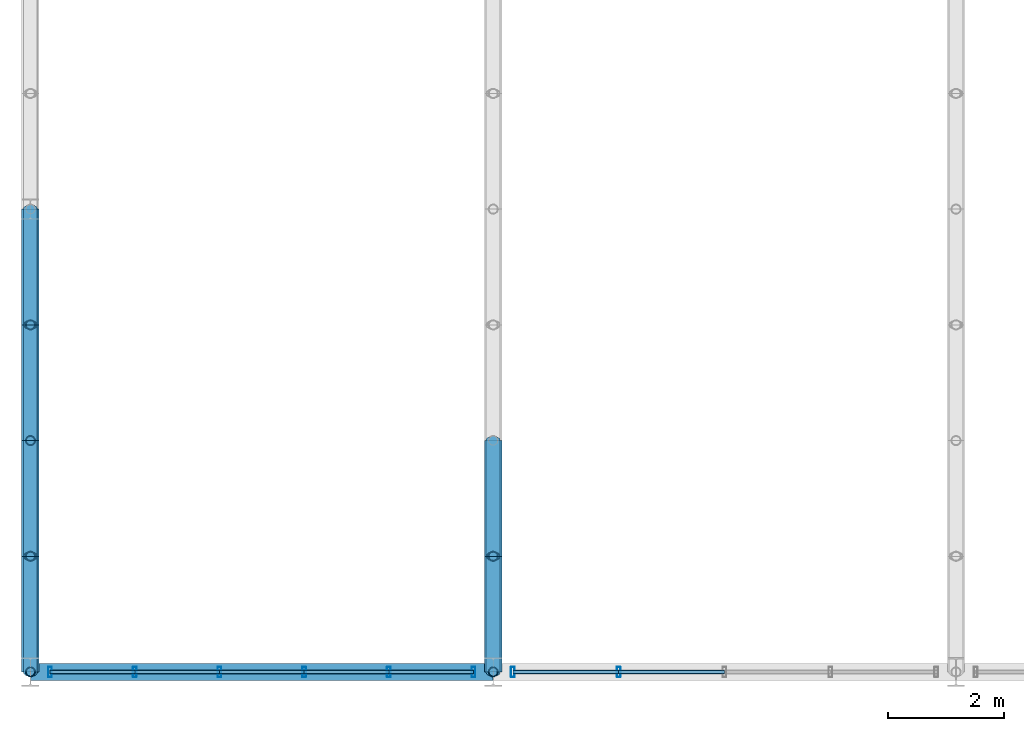
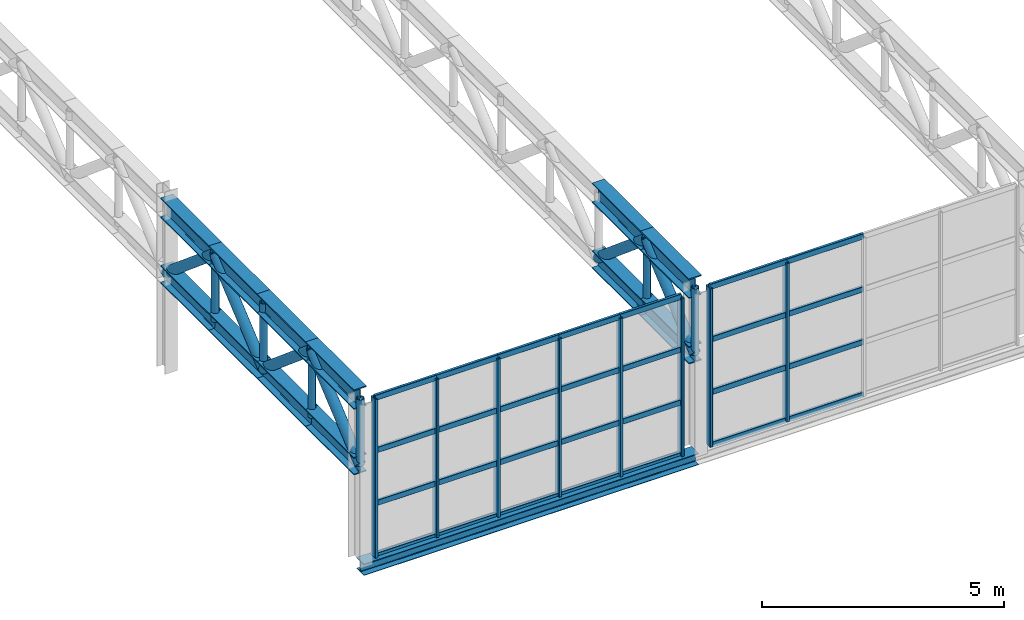
# One storey, part 10 of 67: 60 members, 1 beam, 2 elements without a shape of their own.
"""IFC4 building model written with IfcOpenShell, lengths in metres."""

from ifc_helpers import new_model, si_unit, derived_unit, direction, frame, origin, origin_2d, place, context, subcontext, project, spatial, hollow_rectangle, hollow_circle, i_section, extrude, material, material_profile, profile_set, type_object, element, aggregate, save


model = new_model("IFC4")

# Units and contexts
model_context = context("Model", 3, precision=1e-05, world=origin(), true_north=direction((0.0, 1.0)))
body_context = subcontext(model_context, "Body", "Model", "MODEL_VIEW")
ifc_project = project(units=[si_unit("LENGTHUNIT", "METRE"), si_unit("AREAUNIT", "SQUARE_METRE"), si_unit("VOLUMEUNIT", "CUBIC_METRE"), si_unit("PLANEANGLEUNIT", "RADIAN"), si_unit("MASSUNIT", "GRAM", prefix="KILO"), derived_unit("THERMALTRANSMITTANCEUNIT", [(si_unit("POWERUNIT", "WATT"), 1), (si_unit("LENGTHUNIT", "METRE"), -2), (si_unit("THERMODYNAMICTEMPERATUREUNIT", "KELVIN"), -1)])], contexts=[model_context])

# Site, building, storey
site_placement = place(None, origin())
site = spatial("IfcSite", under=ifc_project, at=site_placement, CompositionType="ELEMENT")
building_placement = place(site_placement, origin())
building = spatial("IfcBuilding", under=site, at=building_placement, Name="Keldorne Ridge Multi-Sports Centre", CompositionType="ELEMENT")
storey_placement = place(building_placement, frame((0.0, 0.0, 14.0)))
storey = spatial("IfcBuildingStorey", under=building, at=storey_placement, Name="L03", CompositionType="ELEMENT", Elevation=14.0)

# Beam
ifc_material_1 = material(Name="Steel S355", Category="steel")
ifc_material_profile_1 = material_profile(ifc_material_1, i_section(OverallWidth=0.300048828125, OverallDepth=0.2900390625, WebThickness=0.008544921875, FlangeThickness=0.013916015625, FilletRadius=0.027099609375, at=origin_2d()), Name="HEA 300")
ifc_profile_set_1 = profile_set([ifc_material_profile_1], Name="Steel S355")
beam_type = type_object("IfcBeamType", Name="BM-SP-04", PredefinedType="SPANDREL", material=ifc_profile_set_1)
beam_placement = place(storey_placement, frame((104.0, 6.0, -0.14990234375), z_axis=(1.0, 0.0, 0.0), x_axis=(0.0, 1.0, 0.0)))
element("IfcBeam", 1, at=beam_placement, inside=storey, type_object=beam_type, Name="Stacked Courts spandrel L03.6.1", PredefinedType="SPANDREL", context=body_context, shape_type="SweptSolid", body=[
    extrude(i_section(OverallWidth=0.300048828125, OverallDepth=0.2900390625, WebThickness=0.008544921875, FlangeThickness=0.013916015625, FilletRadius=0.027099609375, at=origin_2d()), origin(), (0.0, 0.0, 1.0), 8.0),
])

# Curtain wall, members
ifc_material_2 = material(Name="Anodized aluminium", Category="aluminium")
curtain_wall_type_1 = type_object("IfcCurtainWallType", Name="CW-CW-01", PredefinedType="NOTDEFINED", material=ifc_material_2)
curtain_wall_1_placement = place(storey_placement, origin())
curtain_wall_1 = element("IfcCurtainWall", 2, at=curtain_wall_1_placement, inside=storey, type_object=curtain_wall_type_1, Name="Upper Courts high clerestory 089", PredefinedType="NOTDEFINED")
ifc_material_profile_2 = material_profile(ifc_material_2, hollow_rectangle(XDim=0.06494140625, YDim=0.179931640625, WallThickness=0.00439453125, InnerFilletRadius=0.00439453125, OuterFilletRadius=0.009033203125, at=origin_2d()), Name="ALU MULLION 180x65x4.5")
ifc_profile_set_2 = profile_set([ifc_material_profile_2], Name="Anodized aluminium")
member_type_1 = type_object("IfcMemberType", Name="MEM-ML-01", PredefinedType="MULLION", material=ifc_profile_set_2)
member_1_placement = place(storey_placement, frame((104.340087890625, 6.0, 0.0), z_axis=(0.0, 0.0, 1.0), x_axis=(1.0, 0.0, 0.0)))
member_1 = element("IfcMember", 3, at=member_1_placement, type_object=member_type_1, Name="CW-089 vertical mullion 1", PredefinedType="MULLION", context=body_context, shape_type="SweptSolid", body=[
    extrude(hollow_rectangle(XDim=0.06494140625, YDim=0.179931640625, WallThickness=0.00439453125, InnerFilletRadius=0.00439453125, OuterFilletRadius=0.009033203125, at=origin_2d()), origin(), (0.0, 0.0, 1.0), 4.0),
])
member_2_placement = place(storey_placement, frame((105.803955078125, 6.0, 0.0), z_axis=(0.0, 0.0, 1.0), x_axis=(1.0, 0.0, 0.0)))
member_2 = element("IfcMember", 4, at=member_2_placement, type_object=member_type_1, Name="CW-089 vertical mullion 2", PredefinedType="MULLION", context=body_context, shape_type="SweptSolid", body=[
    extrude(hollow_rectangle(XDim=0.06494140625, YDim=0.179931640625, WallThickness=0.00439453125, InnerFilletRadius=0.00439453125, OuterFilletRadius=0.009033203125, at=origin_2d()), origin(), (0.0, 0.0, 1.0), 4.0),
])
member_3_placement = place(storey_placement, frame((107.26806640625, 6.0, 0.0), z_axis=(0.0, 0.0, 1.0), x_axis=(1.0, 0.0, 0.0)))
member_3 = element("IfcMember", 5, at=member_3_placement, type_object=member_type_1, Name="CW-089 vertical mullion 3", PredefinedType="MULLION", context=body_context, shape_type="SweptSolid", body=[
    extrude(hollow_rectangle(XDim=0.06494140625, YDim=0.179931640625, WallThickness=0.00439453125, InnerFilletRadius=0.00439453125, OuterFilletRadius=0.009033203125, at=origin_2d()), origin(), (0.0, 0.0, 1.0), 4.0),
])
member_4_placement = place(storey_placement, frame((108.73193359375, 6.0, 0.0), z_axis=(0.0, 0.0, 1.0), x_axis=(1.0, 0.0, 0.0)))
member_4 = element("IfcMember", 6, at=member_4_placement, type_object=member_type_1, Name="CW-089 vertical mullion 4", PredefinedType="MULLION", context=body_context, shape_type="SweptSolid", body=[
    extrude(hollow_rectangle(XDim=0.06494140625, YDim=0.179931640625, WallThickness=0.00439453125, InnerFilletRadius=0.00439453125, OuterFilletRadius=0.009033203125, at=origin_2d()), origin(), (0.0, 0.0, 1.0), 4.0),
])
member_5_placement = place(storey_placement, frame((110.196044921875, 6.0, 0.0), z_axis=(0.0, 0.0, 1.0), x_axis=(1.0, 0.0, 0.0)))
member_5 = element("IfcMember", 7, at=member_5_placement, type_object=member_type_1, Name="CW-089 vertical mullion 5", PredefinedType="MULLION", context=body_context, shape_type="SweptSolid", body=[
    extrude(hollow_rectangle(XDim=0.06494140625, YDim=0.179931640625, WallThickness=0.00439453125, InnerFilletRadius=0.00439453125, OuterFilletRadius=0.009033203125, at=origin_2d()), origin(), (0.0, 0.0, 1.0), 4.0),
])
member_6_placement = place(storey_placement, frame((111.659912109375, 6.0, 0.0), z_axis=(0.0, 0.0, 1.0), x_axis=(1.0, 0.0, 0.0)))
member_6 = element("IfcMember", 8, at=member_6_placement, type_object=member_type_1, Name="CW-089 vertical mullion 6", PredefinedType="MULLION", context=body_context, shape_type="SweptSolid", body=[
    extrude(hollow_rectangle(XDim=0.06494140625, YDim=0.179931640625, WallThickness=0.00439453125, InnerFilletRadius=0.00439453125, OuterFilletRadius=0.009033203125, at=origin_2d()), origin(), (0.0, 0.0, 1.0), 4.0),
])

curtain_wall_type_2 = type_object("IfcCurtainWallType", Name="CW-CW-08", PredefinedType="NOTDEFINED", material=ifc_material_2)
curtain_wall_2_placement = place(storey_placement, origin())
curtain_wall_2 = element("IfcCurtainWall", 9, at=curtain_wall_2_placement, inside=storey, type_object=curtain_wall_type_2, Name="Upper Courts high clerestory 096", PredefinedType="NOTDEFINED")
member_7_placement = place(storey_placement, frame((112.340087890625, 6.0, 0.0), z_axis=(0.0, 0.0, 1.0), x_axis=(1.0, 0.0, 0.0)))
member_7 = element("IfcMember", 10, at=member_7_placement, type_object=member_type_1, Name="CW-096 vertical mullion 1", PredefinedType="MULLION", context=body_context, shape_type="SweptSolid", body=[
    extrude(hollow_rectangle(XDim=0.06494140625, YDim=0.179931640625, WallThickness=0.00439453125, InnerFilletRadius=0.00439453125, OuterFilletRadius=0.009033203125, at=origin_2d()), origin(), (0.0, 0.0, 1.0), 4.0),
])
member_8_placement = place(storey_placement, frame((114.169921875, 6.0, 0.0), z_axis=(0.0, 0.0, 1.0), x_axis=(1.0, 0.0, 0.0)))
member_8 = element("IfcMember", 11, at=member_8_placement, type_object=member_type_1, Name="CW-096 vertical mullion 2", PredefinedType="MULLION", context=body_context, shape_type="SweptSolid", body=[
    extrude(hollow_rectangle(XDim=0.06494140625, YDim=0.179931640625, WallThickness=0.00439453125, InnerFilletRadius=0.00439453125, OuterFilletRadius=0.009033203125, at=origin_2d()), origin(), (0.0, 0.0, 1.0), 4.0),
])

# Members
ifc_material_profile_3 = material_profile(ifc_material_1, i_section(OverallWidth=0.300048828125, OverallDepth=0.5, WebThickness=0.014404296875, FlangeThickness=0.028076171875, FilletRadius=0.027099609375, at=origin_2d()), Name="HEB 500")
ifc_profile_set_3 = profile_set([ifc_material_profile_3], Name="Steel S355")
member_type_2 = type_object("IfcMemberType", Name="MEM-TC-03", PredefinedType="CHORD", material=ifc_profile_set_3)
for number, where, z_axis, x_axis, name in (
    (12, (104.0, 6.0, 4.110107421875), (0.0, 1.0, 0.0), (-1.0, 0.0, 0.0), "Stacked Courts Warren TRUSS WT-L04-01 top chord 1"),
    (13, (104.0, 8.0, 4.110107421875), (0.0, 1.0, 0.0), (-1.0, 0.0, 0.0), "Stacked Courts Warren TRUSS WT-L04-01 top chord 2"),
    (14, (104.0, 10.0, 4.110107421875), (0.0, 1.0, 0.0), (-1.0, 0.0, 0.0), "Stacked Courts Warren TRUSS WT-L04-01 top chord 3"),
    (15, (104.0, 12.0, 4.110107421875), (0.0, 1.0, 0.0), (-1.0, 0.0, 0.0), "Stacked Courts Warren TRUSS WT-L04-01 top chord 4"),
    (16, (112.0, 6.0, 4.110107421875), (0.0, 1.0, 0.0), (-1.0, 0.0, 0.0), "Stacked Courts Warren TRUSS WT-L04-02 top chord 1"),
    (17, (112.0, 8.0, 4.110107421875), (0.0, 1.0, 0.0), (-1.0, 0.0, 0.0), "Stacked Courts Warren TRUSS WT-L04-02 top chord 2"),
):
    element("IfcMember", number, at=place(storey_placement, frame(where, z_axis=z_axis, x_axis=x_axis)), inside=storey, type_object=member_type_2, Name=name, PredefinedType="CHORD", context=body_context, shape_type="SweptSolid", body=[
        extrude(i_section(OverallWidth=0.300048828125, OverallDepth=0.5, WebThickness=0.014404296875, FlangeThickness=0.028076171875, FilletRadius=0.027099609375, at=origin_2d()), origin(), (0.0, 0.0, 1.0), 2.0),
    ])
ifc_material_profile_4 = material_profile(ifc_material_1, i_section(OverallWidth=0.300048828125, OverallDepth=0.449951171875, WebThickness=0.013916015625, FlangeThickness=0.02587890625, FilletRadius=0.027099609375, at=origin_2d()), Name="HEB 450")
ifc_profile_set_4 = profile_set([ifc_material_profile_4], Name="Steel S355")
member_type_3 = type_object("IfcMemberType", Name="MEM-TC-04", PredefinedType="CHORD", material=ifc_profile_set_4)
for number, where, z_axis, x_axis, name in (
    (18, (104.0, 6.0, 2.429931640625), (0.0, 1.0, 0.0), (-1.0, 0.0, 0.0), "Stacked Courts Warren TRUSS WT-L04-01 bottom chord 1"),
    (19, (104.0, 8.0, 2.429931640625), (0.0, 1.0, 0.0), (-1.0, 0.0, 0.0), "Stacked Courts Warren TRUSS WT-L04-01 bottom chord 2"),
    (20, (104.0, 10.0, 2.429931640625), (0.0, 1.0, 0.0), (-1.0, 0.0, 0.0), "Stacked Courts Warren TRUSS WT-L04-01 bottom chord 3"),
    (21, (104.0, 12.0, 2.429931640625), (0.0, 1.0, 0.0), (-1.0, 0.0, 0.0), "Stacked Courts Warren TRUSS WT-L04-01 bottom chord 4"),
    (22, (112.0, 6.0, 2.429931640625), (0.0, 1.0, 0.0), (-1.0, 0.0, 0.0), "Stacked Courts Warren TRUSS WT-L04-02 bottom chord 1"),
    (23, (112.0, 8.0, 2.429931640625), (0.0, 1.0, 0.0), (-1.0, 0.0, 0.0), "Stacked Courts Warren TRUSS WT-L04-02 bottom chord 2"),
):
    element("IfcMember", number, at=place(storey_placement, frame(where, z_axis=z_axis, x_axis=x_axis)), inside=storey, type_object=member_type_3, Name=name, PredefinedType="CHORD", context=body_context, shape_type="SweptSolid", body=[
        extrude(i_section(OverallWidth=0.300048828125, OverallDepth=0.449951171875, WebThickness=0.013916015625, FlangeThickness=0.02587890625, FilletRadius=0.027099609375, at=origin_2d()), origin(), (0.0, 0.0, 1.0), 2.0),
    ])
ifc_material_profile_5 = material_profile(ifc_material_1, hollow_circle(Radius=0.122314453125, WallThickness=0.012451171875, at=origin_2d()), Name="CHS 244.5x12.5")
ifc_profile_set_5 = profile_set([ifc_material_profile_5], Name="Steel S355")
member_type_4 = type_object("IfcMemberType", Name="MEM-TD-02", PredefinedType="BRACE", material=ifc_profile_set_5)
for number, where, z_axis, x_axis, name in (
    (24, (104.0, 6.0, 2.429931640625), (0.0, 0.765671721121, 0.643231541108), (-1.0, 0.0, 0.0), "Stacked Courts Warren TRUSS WT-L04-01 diagonal 1"),
    (25, (104.0, 8.0, 4.110107421875), (0.0, 0.765671721121, -0.643231541108), (-1.0, 0.0, 0.0), "Stacked Courts Warren TRUSS WT-L04-01 diagonal 2"),
    (26, (104.0, 10.0, 2.429931640625), (0.0, 0.765671721121, 0.643231541108), (-1.0, 0.0, 0.0), "Stacked Courts Warren TRUSS WT-L04-01 diagonal 3"),
    (27, (104.0, 12.0, 4.110107421875), (0.0, 0.765671721121, -0.643231541108), (-1.0, 0.0, 0.0), "Stacked Courts Warren TRUSS WT-L04-01 diagonal 4"),
    (28, (112.0, 6.0, 2.429931640625), (0.0, 0.765671721121, 0.643231541108), (-1.0, 0.0, 0.0), "Stacked Courts Warren TRUSS WT-L04-02 diagonal 1"),
    (29, (112.0, 8.0, 4.110107421875), (0.0, 0.765671721121, -0.643231541108), (-1.0, 0.0, 0.0), "Stacked Courts Warren TRUSS WT-L04-02 diagonal 2"),
):
    element("IfcMember", number, at=place(storey_placement, frame(where, z_axis=z_axis, x_axis=x_axis)), inside=storey, type_object=member_type_4, Name=name, PredefinedType="BRACE", context=body_context, shape_type="SweptSolid", body=[
        extrude(hollow_circle(Radius=0.122314453125, WallThickness=0.012451171875, at=origin_2d()), origin(), (0.0, 0.0, 1.0), 2.612060546875),
    ])

# Member
ifc_material_profile_6 = material_profile(ifc_material_2, hollow_rectangle(XDim=0.06494140625, YDim=0.139892578125, WallThickness=0.00439453125, InnerFilletRadius=0.00439453125, OuterFilletRadius=0.009033203125, at=origin_2d()), Name="ALU TRANSOM 140x65x4.5")
ifc_profile_set_6 = profile_set([ifc_material_profile_6], Name="Anodized aluminium")
member_type_5 = type_object("IfcMemberType", Name="MEM-TR-01", PredefinedType="USERDEFINED", material=ifc_profile_set_6)
member_9_placement = place(storey_placement, frame((104.340087890625, 6.0, 0.0), z_axis=(1.0, 0.0, 0.0), x_axis=(0.0, 1.0, 0.0)))
member_9 = element("IfcMember", 30, at=member_9_placement, type_object=member_type_5, Name="CW-089 transom 1.1", ObjectType="TRANSOM", PredefinedType="USERDEFINED", context=body_context, shape_type="SweptSolid", body=[
    extrude(hollow_rectangle(XDim=0.06494140625, YDim=0.139892578125, WallThickness=0.00439453125, InnerFilletRadius=0.00439453125, OuterFilletRadius=0.009033203125, at=origin_2d()), origin(), (0.0, 0.0, 1.0), 1.4638671875),
])

member_10_placement = place(storey_placement, frame((104.340087890625, 6.0, 1.333251953125), z_axis=(1.0, 0.0, 0.0), x_axis=(0.0, 1.0, 0.0)))
member_10 = element("IfcMember", 31, at=member_10_placement, type_object=member_type_5, Name="CW-089 transom 1.2", ObjectType="TRANSOM", PredefinedType="USERDEFINED", context=body_context, shape_type="SweptSolid", body=[
    extrude(hollow_rectangle(XDim=0.06494140625, YDim=0.139892578125, WallThickness=0.00439453125, InnerFilletRadius=0.00439453125, OuterFilletRadius=0.009033203125, at=origin_2d()), origin(), (0.0, 0.0, 1.0), 1.4638671875),
])

member_11_placement = place(storey_placement, frame((104.340087890625, 6.0, 2.666748046875), z_axis=(1.0, 0.0, 0.0), x_axis=(0.0, 1.0, 0.0)))
member_11 = element("IfcMember", 32, at=member_11_placement, type_object=member_type_5, Name="CW-089 transom 1.3", ObjectType="TRANSOM", PredefinedType="USERDEFINED", context=body_context, shape_type="SweptSolid", body=[
    extrude(hollow_rectangle(XDim=0.06494140625, YDim=0.139892578125, WallThickness=0.00439453125, InnerFilletRadius=0.00439453125, OuterFilletRadius=0.009033203125, at=origin_2d()), origin(), (0.0, 0.0, 1.0), 1.4638671875),
])

member_12_placement = place(storey_placement, frame((104.340087890625, 6.0, 4.0), z_axis=(1.0, 0.0, 0.0), x_axis=(0.0, 1.0, 0.0)))
member_12 = element("IfcMember", 33, at=member_12_placement, type_object=member_type_5, Name="CW-089 transom 1.4", ObjectType="TRANSOM", PredefinedType="USERDEFINED", context=body_context, shape_type="SweptSolid", body=[
    extrude(hollow_rectangle(XDim=0.06494140625, YDim=0.139892578125, WallThickness=0.00439453125, InnerFilletRadius=0.00439453125, OuterFilletRadius=0.009033203125, at=origin_2d()), origin(), (0.0, 0.0, 1.0), 1.4638671875),
])

member_13_placement = place(storey_placement, frame((105.803955078125, 6.0, 0.0), z_axis=(1.0, 0.0, 0.0), x_axis=(0.0, 1.0, 0.0)))
member_13 = element("IfcMember", 34, at=member_13_placement, type_object=member_type_5, Name="CW-089 transom 2.1", ObjectType="TRANSOM", PredefinedType="USERDEFINED", context=body_context, shape_type="SweptSolid", body=[
    extrude(hollow_rectangle(XDim=0.06494140625, YDim=0.139892578125, WallThickness=0.00439453125, InnerFilletRadius=0.00439453125, OuterFilletRadius=0.009033203125, at=origin_2d()), origin(), (0.0, 0.0, 1.0), 1.464111328125),
])

member_14_placement = place(storey_placement, frame((105.803955078125, 6.0, 1.333251953125), z_axis=(1.0, 0.0, 0.0), x_axis=(0.0, 1.0, 0.0)))
member_14 = element("IfcMember", 35, at=member_14_placement, type_object=member_type_5, Name="CW-089 transom 2.2", ObjectType="TRANSOM", PredefinedType="USERDEFINED", context=body_context, shape_type="SweptSolid", body=[
    extrude(hollow_rectangle(XDim=0.06494140625, YDim=0.139892578125, WallThickness=0.00439453125, InnerFilletRadius=0.00439453125, OuterFilletRadius=0.009033203125, at=origin_2d()), origin(), (0.0, 0.0, 1.0), 1.464111328125),
])

member_15_placement = place(storey_placement, frame((105.803955078125, 6.0, 2.666748046875), z_axis=(1.0, 0.0, 0.0), x_axis=(0.0, 1.0, 0.0)))
member_15 = element("IfcMember", 36, at=member_15_placement, type_object=member_type_5, Name="CW-089 transom 2.3", ObjectType="TRANSOM", PredefinedType="USERDEFINED", context=body_context, shape_type="SweptSolid", body=[
    extrude(hollow_rectangle(XDim=0.06494140625, YDim=0.139892578125, WallThickness=0.00439453125, InnerFilletRadius=0.00439453125, OuterFilletRadius=0.009033203125, at=origin_2d()), origin(), (0.0, 0.0, 1.0), 1.464111328125),
])

member_16_placement = place(storey_placement, frame((105.803955078125, 6.0, 4.0), z_axis=(1.0, 0.0, 0.0), x_axis=(0.0, 1.0, 0.0)))
member_16 = element("IfcMember", 37, at=member_16_placement, type_object=member_type_5, Name="CW-089 transom 2.4", ObjectType="TRANSOM", PredefinedType="USERDEFINED", context=body_context, shape_type="SweptSolid", body=[
    extrude(hollow_rectangle(XDim=0.06494140625, YDim=0.139892578125, WallThickness=0.00439453125, InnerFilletRadius=0.00439453125, OuterFilletRadius=0.009033203125, at=origin_2d()), origin(), (0.0, 0.0, 1.0), 1.464111328125),
])

member_17_placement = place(storey_placement, frame((107.26806640625, 6.0, 0.0), z_axis=(1.0, 0.0, 0.0), x_axis=(0.0, 1.0, 0.0)))
member_17 = element("IfcMember", 38, at=member_17_placement, type_object=member_type_5, Name="CW-089 transom 3.1", ObjectType="TRANSOM", PredefinedType="USERDEFINED", context=body_context, shape_type="SweptSolid", body=[
    extrude(hollow_rectangle(XDim=0.06494140625, YDim=0.139892578125, WallThickness=0.00439453125, InnerFilletRadius=0.00439453125, OuterFilletRadius=0.009033203125, at=origin_2d()), origin(), (0.0, 0.0, 1.0), 1.4638671875),
])

member_18_placement = place(storey_placement, frame((107.26806640625, 6.0, 1.333251953125), z_axis=(1.0, 0.0, 0.0), x_axis=(0.0, 1.0, 0.0)))
member_18 = element("IfcMember", 39, at=member_18_placement, type_object=member_type_5, Name="CW-089 transom 3.2", ObjectType="TRANSOM", PredefinedType="USERDEFINED", context=body_context, shape_type="SweptSolid", body=[
    extrude(hollow_rectangle(XDim=0.06494140625, YDim=0.139892578125, WallThickness=0.00439453125, InnerFilletRadius=0.00439453125, OuterFilletRadius=0.009033203125, at=origin_2d()), origin(), (0.0, 0.0, 1.0), 1.4638671875),
])

member_19_placement = place(storey_placement, frame((107.26806640625, 6.0, 2.666748046875), z_axis=(1.0, 0.0, 0.0), x_axis=(0.0, 1.0, 0.0)))
member_19 = element("IfcMember", 40, at=member_19_placement, type_object=member_type_5, Name="CW-089 transom 3.3", ObjectType="TRANSOM", PredefinedType="USERDEFINED", context=body_context, shape_type="SweptSolid", body=[
    extrude(hollow_rectangle(XDim=0.06494140625, YDim=0.139892578125, WallThickness=0.00439453125, InnerFilletRadius=0.00439453125, OuterFilletRadius=0.009033203125, at=origin_2d()), origin(), (0.0, 0.0, 1.0), 1.4638671875),
])

member_20_placement = place(storey_placement, frame((107.26806640625, 6.0, 4.0), z_axis=(1.0, 0.0, 0.0), x_axis=(0.0, 1.0, 0.0)))
member_20 = element("IfcMember", 41, at=member_20_placement, type_object=member_type_5, Name="CW-089 transom 3.4", ObjectType="TRANSOM", PredefinedType="USERDEFINED", context=body_context, shape_type="SweptSolid", body=[
    extrude(hollow_rectangle(XDim=0.06494140625, YDim=0.139892578125, WallThickness=0.00439453125, InnerFilletRadius=0.00439453125, OuterFilletRadius=0.009033203125, at=origin_2d()), origin(), (0.0, 0.0, 1.0), 1.4638671875),
])

member_21_placement = place(storey_placement, frame((108.73193359375, 6.0, 0.0), z_axis=(1.0, 0.0, 0.0), x_axis=(0.0, 1.0, 0.0)))
member_21 = element("IfcMember", 42, at=member_21_placement, type_object=member_type_5, Name="CW-089 transom 4.1", ObjectType="TRANSOM", PredefinedType="USERDEFINED", context=body_context, shape_type="SweptSolid", body=[
    extrude(hollow_rectangle(XDim=0.06494140625, YDim=0.139892578125, WallThickness=0.00439453125, InnerFilletRadius=0.00439453125, OuterFilletRadius=0.009033203125, at=origin_2d()), origin(), (0.0, 0.0, 1.0), 1.464111328125),
])

member_22_placement = place(storey_placement, frame((108.73193359375, 6.0, 1.333251953125), z_axis=(1.0, 0.0, 0.0), x_axis=(0.0, 1.0, 0.0)))
member_22 = element("IfcMember", 43, at=member_22_placement, type_object=member_type_5, Name="CW-089 transom 4.2", ObjectType="TRANSOM", PredefinedType="USERDEFINED", context=body_context, shape_type="SweptSolid", body=[
    extrude(hollow_rectangle(XDim=0.06494140625, YDim=0.139892578125, WallThickness=0.00439453125, InnerFilletRadius=0.00439453125, OuterFilletRadius=0.009033203125, at=origin_2d()), origin(), (0.0, 0.0, 1.0), 1.464111328125),
])

member_23_placement = place(storey_placement, frame((108.73193359375, 6.0, 2.666748046875), z_axis=(1.0, 0.0, 0.0), x_axis=(0.0, 1.0, 0.0)))
member_23 = element("IfcMember", 44, at=member_23_placement, type_object=member_type_5, Name="CW-089 transom 4.3", ObjectType="TRANSOM", PredefinedType="USERDEFINED", context=body_context, shape_type="SweptSolid", body=[
    extrude(hollow_rectangle(XDim=0.06494140625, YDim=0.139892578125, WallThickness=0.00439453125, InnerFilletRadius=0.00439453125, OuterFilletRadius=0.009033203125, at=origin_2d()), origin(), (0.0, 0.0, 1.0), 1.464111328125),
])

member_24_placement = place(storey_placement, frame((108.73193359375, 6.0, 4.0), z_axis=(1.0, 0.0, 0.0), x_axis=(0.0, 1.0, 0.0)))
member_24 = element("IfcMember", 45, at=member_24_placement, type_object=member_type_5, Name="CW-089 transom 4.4", ObjectType="TRANSOM", PredefinedType="USERDEFINED", context=body_context, shape_type="SweptSolid", body=[
    extrude(hollow_rectangle(XDim=0.06494140625, YDim=0.139892578125, WallThickness=0.00439453125, InnerFilletRadius=0.00439453125, OuterFilletRadius=0.009033203125, at=origin_2d()), origin(), (0.0, 0.0, 1.0), 1.464111328125),
])

member_25_placement = place(storey_placement, frame((110.196044921875, 6.0, 0.0), z_axis=(1.0, 0.0, 0.0), x_axis=(0.0, 1.0, 0.0)))
member_25 = element("IfcMember", 46, at=member_25_placement, type_object=member_type_5, Name="CW-089 transom 5.1", ObjectType="TRANSOM", PredefinedType="USERDEFINED", context=body_context, shape_type="SweptSolid", body=[
    extrude(hollow_rectangle(XDim=0.06494140625, YDim=0.139892578125, WallThickness=0.00439453125, InnerFilletRadius=0.00439453125, OuterFilletRadius=0.009033203125, at=origin_2d()), origin(), (0.0, 0.0, 1.0), 1.4638671875),
])

member_26_placement = place(storey_placement, frame((110.196044921875, 6.0, 1.333251953125), z_axis=(1.0, 0.0, 0.0), x_axis=(0.0, 1.0, 0.0)))
member_26 = element("IfcMember", 47, at=member_26_placement, type_object=member_type_5, Name="CW-089 transom 5.2", ObjectType="TRANSOM", PredefinedType="USERDEFINED", context=body_context, shape_type="SweptSolid", body=[
    extrude(hollow_rectangle(XDim=0.06494140625, YDim=0.139892578125, WallThickness=0.00439453125, InnerFilletRadius=0.00439453125, OuterFilletRadius=0.009033203125, at=origin_2d()), origin(), (0.0, 0.0, 1.0), 1.4638671875),
])

member_27_placement = place(storey_placement, frame((110.196044921875, 6.0, 2.666748046875), z_axis=(1.0, 0.0, 0.0), x_axis=(0.0, 1.0, 0.0)))
member_27 = element("IfcMember", 48, at=member_27_placement, type_object=member_type_5, Name="CW-089 transom 5.3", ObjectType="TRANSOM", PredefinedType="USERDEFINED", context=body_context, shape_type="SweptSolid", body=[
    extrude(hollow_rectangle(XDim=0.06494140625, YDim=0.139892578125, WallThickness=0.00439453125, InnerFilletRadius=0.00439453125, OuterFilletRadius=0.009033203125, at=origin_2d()), origin(), (0.0, 0.0, 1.0), 1.4638671875),
])

member_28_placement = place(storey_placement, frame((110.196044921875, 6.0, 4.0), z_axis=(1.0, 0.0, 0.0), x_axis=(0.0, 1.0, 0.0)))
member_28 = element("IfcMember", 49, at=member_28_placement, type_object=member_type_5, Name="CW-089 transom 5.4", ObjectType="TRANSOM", PredefinedType="USERDEFINED", context=body_context, shape_type="SweptSolid", body=[
    extrude(hollow_rectangle(XDim=0.06494140625, YDim=0.139892578125, WallThickness=0.00439453125, InnerFilletRadius=0.00439453125, OuterFilletRadius=0.009033203125, at=origin_2d()), origin(), (0.0, 0.0, 1.0), 1.4638671875),
])

aggregate(curtain_wall_1, [member_1, member_2, member_3, member_4, member_5, member_6, member_9, member_10, member_11, member_12, member_13, member_14, member_15, member_16, member_17, member_18, member_19, member_20, member_21, member_22, member_23, member_24, member_25, member_26, member_27, member_28])

member_29_placement = place(storey_placement, frame((112.340087890625, 6.0, 0.0), z_axis=(1.0, 0.0, 0.0), x_axis=(0.0, 1.0, 0.0)))
member_29 = element("IfcMember", 50, at=member_29_placement, type_object=member_type_5, Name="CW-096 transom 1.1", ObjectType="TRANSOM", PredefinedType="USERDEFINED", context=body_context, shape_type="SweptSolid", body=[
    extrude(hollow_rectangle(XDim=0.06494140625, YDim=0.139892578125, WallThickness=0.00439453125, InnerFilletRadius=0.00439453125, OuterFilletRadius=0.009033203125, at=origin_2d()), origin(), (0.0, 0.0, 1.0), 1.829833984375),
])

member_30_placement = place(storey_placement, frame((112.340087890625, 6.0, 1.333251953125), z_axis=(1.0, 0.0, 0.0), x_axis=(0.0, 1.0, 0.0)))
member_30 = element("IfcMember", 51, at=member_30_placement, type_object=member_type_5, Name="CW-096 transom 1.2", ObjectType="TRANSOM", PredefinedType="USERDEFINED", context=body_context, shape_type="SweptSolid", body=[
    extrude(hollow_rectangle(XDim=0.06494140625, YDim=0.139892578125, WallThickness=0.00439453125, InnerFilletRadius=0.00439453125, OuterFilletRadius=0.009033203125, at=origin_2d()), origin(), (0.0, 0.0, 1.0), 1.829833984375),
])

member_31_placement = place(storey_placement, frame((112.340087890625, 6.0, 2.666748046875), z_axis=(1.0, 0.0, 0.0), x_axis=(0.0, 1.0, 0.0)))
member_31 = element("IfcMember", 52, at=member_31_placement, type_object=member_type_5, Name="CW-096 transom 1.3", ObjectType="TRANSOM", PredefinedType="USERDEFINED", context=body_context, shape_type="SweptSolid", body=[
    extrude(hollow_rectangle(XDim=0.06494140625, YDim=0.139892578125, WallThickness=0.00439453125, InnerFilletRadius=0.00439453125, OuterFilletRadius=0.009033203125, at=origin_2d()), origin(), (0.0, 0.0, 1.0), 1.829833984375),
])

member_32_placement = place(storey_placement, frame((112.340087890625, 6.0, 4.0), z_axis=(1.0, 0.0, 0.0), x_axis=(0.0, 1.0, 0.0)))
member_32 = element("IfcMember", 53, at=member_32_placement, type_object=member_type_5, Name="CW-096 transom 1.4", ObjectType="TRANSOM", PredefinedType="USERDEFINED", context=body_context, shape_type="SweptSolid", body=[
    extrude(hollow_rectangle(XDim=0.06494140625, YDim=0.139892578125, WallThickness=0.00439453125, InnerFilletRadius=0.00439453125, OuterFilletRadius=0.009033203125, at=origin_2d()), origin(), (0.0, 0.0, 1.0), 1.829833984375),
])

member_33_placement = place(storey_placement, frame((114.169921875, 6.0, 0.0), z_axis=(1.0, 0.0, 0.0), x_axis=(0.0, 1.0, 0.0)))
member_33 = element("IfcMember", 54, at=member_33_placement, type_object=member_type_5, Name="CW-096 transom 2.1", ObjectType="TRANSOM", PredefinedType="USERDEFINED", context=body_context, shape_type="SweptSolid", body=[
    extrude(hollow_rectangle(XDim=0.06494140625, YDim=0.139892578125, WallThickness=0.00439453125, InnerFilletRadius=0.00439453125, OuterFilletRadius=0.009033203125, at=origin_2d()), origin(), (0.0, 0.0, 1.0), 1.830078125),
])

member_34_placement = place(storey_placement, frame((114.169921875, 6.0, 1.333251953125), z_axis=(1.0, 0.0, 0.0), x_axis=(0.0, 1.0, 0.0)))
member_34 = element("IfcMember", 55, at=member_34_placement, type_object=member_type_5, Name="CW-096 transom 2.2", ObjectType="TRANSOM", PredefinedType="USERDEFINED", context=body_context, shape_type="SweptSolid", body=[
    extrude(hollow_rectangle(XDim=0.06494140625, YDim=0.139892578125, WallThickness=0.00439453125, InnerFilletRadius=0.00439453125, OuterFilletRadius=0.009033203125, at=origin_2d()), origin(), (0.0, 0.0, 1.0), 1.830078125),
])

member_35_placement = place(storey_placement, frame((114.169921875, 6.0, 2.666748046875), z_axis=(1.0, 0.0, 0.0), x_axis=(0.0, 1.0, 0.0)))
member_35 = element("IfcMember", 56, at=member_35_placement, type_object=member_type_5, Name="CW-096 transom 2.3", ObjectType="TRANSOM", PredefinedType="USERDEFINED", context=body_context, shape_type="SweptSolid", body=[
    extrude(hollow_rectangle(XDim=0.06494140625, YDim=0.139892578125, WallThickness=0.00439453125, InnerFilletRadius=0.00439453125, OuterFilletRadius=0.009033203125, at=origin_2d()), origin(), (0.0, 0.0, 1.0), 1.830078125),
])

member_36_placement = place(storey_placement, frame((114.169921875, 6.0, 4.0), z_axis=(1.0, 0.0, 0.0), x_axis=(0.0, 1.0, 0.0)))
member_36 = element("IfcMember", 57, at=member_36_placement, type_object=member_type_5, Name="CW-096 transom 2.4", ObjectType="TRANSOM", PredefinedType="USERDEFINED", context=body_context, shape_type="SweptSolid", body=[
    extrude(hollow_rectangle(XDim=0.06494140625, YDim=0.139892578125, WallThickness=0.00439453125, InnerFilletRadius=0.00439453125, OuterFilletRadius=0.009033203125, at=origin_2d()), origin(), (0.0, 0.0, 1.0), 1.830078125),
])

aggregate(curtain_wall_2, [member_7, member_8, member_29, member_30, member_31, member_32, member_33, member_34, member_35, member_36])

# Members
ifc_material_profile_7 = material_profile(ifc_material_1, hollow_circle(Radius=0.084228515625, WallThickness=0.010009765625, at=origin_2d()), Name="CHS 168.3x10")
ifc_profile_set_7 = profile_set([ifc_material_profile_7], Name="Steel S355")
member_type_6 = type_object("IfcMemberType", Name="MEM-TV-01", PredefinedType="STRUT", material=ifc_profile_set_7)
for number, where, z_axis, x_axis, name in (
    (58, (104.0, 6.0, 2.429931640625), (0.0, 0.0, 1.0), (1.0, 0.0, 0.0), "Stacked Courts Warren TRUSS WT-L04-01 post 1"),
    (59, (104.0, 8.0, 2.429931640625), (0.0, 0.0, 1.0), (1.0, 0.0, 0.0), "Stacked Courts Warren TRUSS WT-L04-01 post 2"),
    (60, (104.0, 10.0, 2.429931640625), (0.0, 0.0, 1.0), (1.0, 0.0, 0.0), "Stacked Courts Warren TRUSS WT-L04-01 post 3"),
    (61, (104.0, 12.0, 2.429931640625), (0.0, 0.0, 1.0), (1.0, 0.0, 0.0), "Stacked Courts Warren TRUSS WT-L04-01 post 4"),
    (62, (112.0, 6.0, 2.429931640625), (0.0, 0.0, 1.0), (1.0, 0.0, 0.0), "Stacked Courts Warren TRUSS WT-L04-02 post 1"),
    (63, (112.0, 8.0, 2.429931640625), (0.0, 0.0, 1.0), (1.0, 0.0, 0.0), "Stacked Courts Warren TRUSS WT-L04-02 post 2"),
):
    element("IfcMember", number, at=place(storey_placement, frame(where, z_axis=z_axis, x_axis=x_axis)), inside=storey, type_object=member_type_6, Name=name, PredefinedType="STRUT", context=body_context, shape_type="SweptSolid", body=[
        extrude(hollow_circle(Radius=0.084228515625, WallThickness=0.010009765625, at=origin_2d()), origin(), (0.0, 0.0, 1.0), 1.68017578125),
    ])

save(model, "model.ifc")
